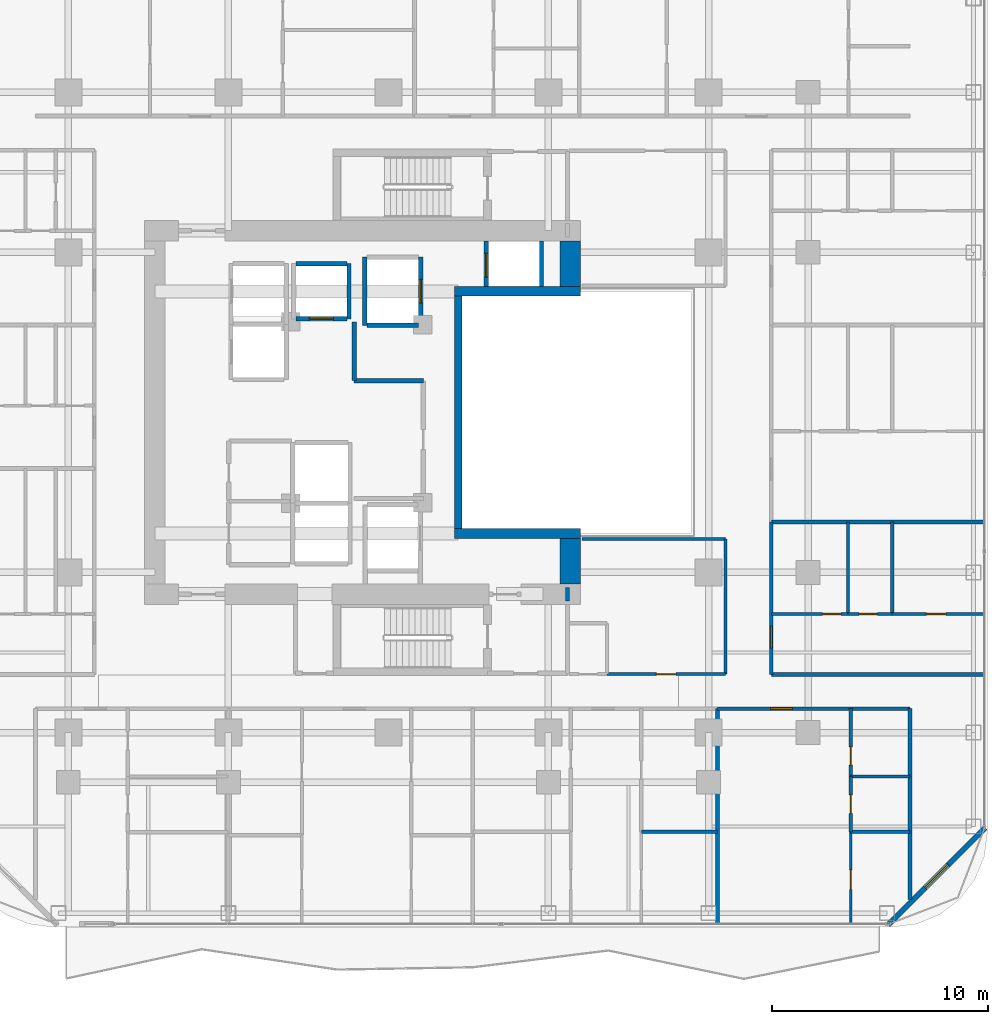
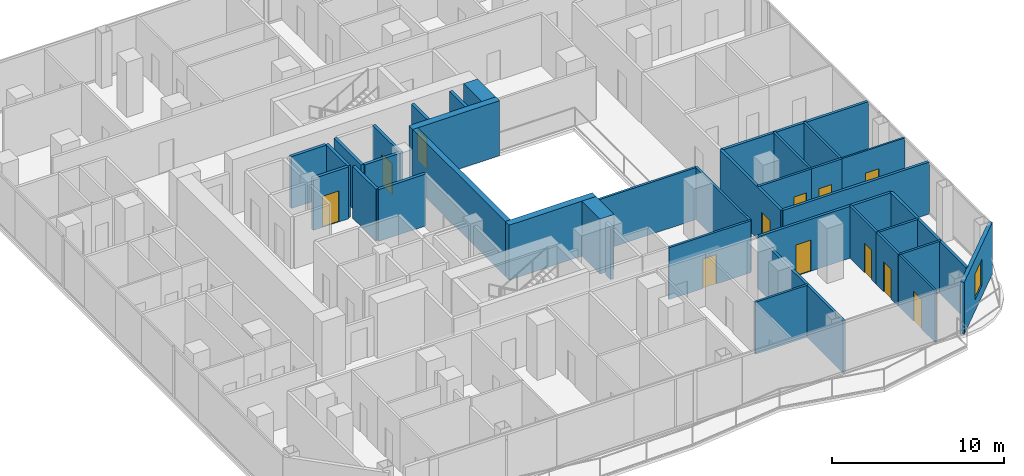
# One storey, part 23 of 29: 37 walls, 12 doors, 1 window, 13 openings.
"""IFC4 building model written with IfcOpenShell, lengths in metres."""

from ifc_helpers import new_model, si_unit, direction, frame, frame_2d, origin, place, context, subcontext, project, spatial, rectangle, extrude, material, layer, layer_set, type_object, element, fill, save


model = new_model("IFC4")

# Units and contexts
model_context = context("Model", 3, precision=1e-05, world=origin(), true_north=direction((0.0, 1.0)))
body_context = subcontext(model_context, "Body", "Model", "MODEL_VIEW")
ifc_project = project(units=[si_unit("LENGTHUNIT", "METRE"), si_unit("AREAUNIT", "SQUARE_METRE"), si_unit("VOLUMEUNIT", "CUBIC_METRE"), si_unit("PLANEANGLEUNIT", "RADIAN"), si_unit("MASSUNIT", "GRAM", prefix="KILO")], contexts=[model_context])

# Site, building, storey
site_placement = place(None, origin())
site = spatial("IfcSite", under=ifc_project, at=site_placement, CompositionType="ELEMENT")
building_placement = place(site_placement, origin())
building = spatial("IfcBuilding", under=site, at=building_placement, Name="Khorvyn Point Tower", CompositionType="ELEMENT")
storey_placement = place(building_placement, frame((0.0, 0.0, 140.699951171875)))
storey = spatial("IfcBuildingStorey", under=building, at=storey_placement, Name="L35", CompositionType="ELEMENT", Elevation=140.699951171875)

# Wall, opening, door
ifc_material_1 = material(Name="Double acoustic gypsum on twin steel stud", Category="steel")
ifc_layer_1 = layer(ifc_material_1, 0.179931640625)
ifc_layer_set_1 = layer_set([ifc_layer_1], Name="Acoustic Double-Stud Apartment Demising Wall 180")
wall_type_1 = type_object("IfcWallType", Name="Acoustic Double-Stud Apartment Demising Wall 180", PredefinedType="PARTITIONING", material=ifc_layer_set_1)
wall_1_placement = place(storey_placement, frame((15.222900390625, -13.699951171875, 0.0), z_axis=(0.0, 0.0, 1.0), x_axis=(1.0, 0.0, 0.0)))
wall_1 = element("IfcWall", 1, at=wall_1_placement, inside=storey, type_object=wall_type_1, Name="Wall", PredefinedType="PARTITIONING", context=body_context, shape_type="SweptSolid", body=[
    extrude(rectangle(XDim=8.897216796875, YDim=0.179931640625, at=frame_2d((4.44873046875, 0.0))), origin(), (0.0, 0.0, 1.0), 3.679931640625),
])
opening_1_placement = place(wall_1_placement, frame((2.45068359375, 0.0, 0.0)))
opening_1 = element("IfcOpeningElement", 2, at=opening_1_placement, cuts=wall_1, Name="Opening ID-AP60", PredefinedType="OPENING", context=body_context, shape_type="SweptSolid", body=[
    extrude(rectangle(XDim=1.0, YDim=2.199951171875, at=frame_2d((0.5, 1.10009765625))), frame((0.0, 0.099853515625, 0.0), z_axis=(0.0, -1.0, 0.0), x_axis=(1.0, 0.0, 0.0)), (0.0, 0.0, 1.0), 0.199951171875),
])
ifc_material_2 = material(Name="Engineered hardwood fire-rated leaf", Category="wood")
door_type_1 = type_object("IfcDoorType", Name="Acoustic Solid-Core Timber Apartment Entrance Door 1000x2200", OperationType="NOTDEFINED", PredefinedType="DOOR", material=ifc_material_2)
door_1_placement = place(opening_1_placement, origin())
door_1 = element("IfcDoor", 3, at=door_1_placement, inside=storey, type_object=door_type_1, Name="Door", OperationType="SINGLE_SWING_RIGHT", OverallHeight=2.199951171875, OverallWidth=1.0, PredefinedType="DOOR", context=body_context, shape_type="SweptSolid", body=[
    extrude(rectangle(XDim=1.0, YDim=2.199951171875, at=frame_2d((0.5, 1.10009765625))), frame((0.0, 0.02490234375, 0.0), z_axis=(0.0, -1.0, 0.0), x_axis=(1.0, 0.0, 0.0)), (0.0, 0.0, 1.0), 0.050048828125),
])
fill(opening_1, door_1)

wall_2_placement = place(storey_placement, frame((17.699951171875, -12.1201171875, 0.0), z_axis=(0.0, 0.0, 1.0), x_axis=(0.0, 1.0, 0.0)))
wall_2 = element("IfcWall", 4, at=wall_2_placement, inside=storey, type_object=wall_type_1, Name="Wall", PredefinedType="PARTITIONING", context=body_context, shape_type="SweptSolid", body=[
    extrude(rectangle(XDim=7.06201171875, YDim=0.179931640625, at=frame_2d((3.531005859375, 0.0))), origin(), (0.0, 0.0, 1.0), 3.679931640625),
])
opening_2_placement = place(wall_2_placement, frame((1.236572265625, 0.0, 0.0)))
opening_2 = element("IfcOpeningElement", 5, at=opening_2_placement, cuts=wall_2, Name="Opening ID-AP60", PredefinedType="OPENING", context=body_context, shape_type="SweptSolid", body=[
    extrude(rectangle(XDim=1.0, YDim=2.199951171875, at=frame_2d((0.5, 1.10009765625))), frame((0.0, 0.099853515625, 0.0), z_axis=(0.0, -1.0, 0.0), x_axis=(1.0, 0.0, 0.0)), (0.0, 0.0, 1.0), 0.199951171875),
])
door_2_placement = place(opening_2_placement, origin())
door_2 = element("IfcDoor", 6, at=door_2_placement, inside=storey, type_object=door_type_1, Name="Door", OperationType="SINGLE_SWING_RIGHT", OverallHeight=2.199951171875, OverallWidth=1.0, PredefinedType="DOOR", context=body_context, shape_type="SweptSolid", body=[
    extrude(rectangle(XDim=1.0, YDim=2.199951171875, at=frame_2d((0.5, 1.10009765625))), frame((0.0, 0.02490234375, 0.0), z_axis=(0.0, -1.0, 0.0), x_axis=(1.0, 0.0, 0.0)), (0.0, 0.0, 1.0), 0.050048828125),
])
fill(opening_2, door_2)

# Walls
wall_3_placement = place(storey_placement, frame((24.1201171875, -22.510009765625, 0.0), z_axis=(0.0, 0.0, 1.0), x_axis=(0.0, 1.0, 0.0)))
element("IfcWall", 7, at=wall_3_placement, inside=storey, type_object=wall_type_1, Name="Wall", PredefinedType="PARTITIONING", context=body_context, shape_type="SweptSolid", body=[
    extrude(rectangle(XDim=8.81005859375, YDim=0.179931640625, at=frame_2d((4.405029296875, 0.0))), origin(), (0.0, 0.0, 1.0), 3.679931640625),
])
wall_4_placement = place(storey_placement, frame((15.222900390625, -23.6298828125, 0.0), z_axis=(0.0, 0.0, 1.0), x_axis=(0.0, 1.0, 0.0)))
element("IfcWall", 8, at=wall_4_placement, inside=storey, type_object=wall_type_1, Name="Wall", PredefinedType="PARTITIONING", context=body_context, shape_type="SweptSolid", body=[
    extrude(rectangle(XDim=9.929931640625, YDim=0.179931640625, at=frame_2d((4.96484375, 0.0))), origin(), (0.0, 0.0, 1.0), 3.679931640625),
])
for number, where, z_axis, x_axis, name in (
    (9, (17.699951171875, -5.05810546875, 0.0), (0.0, 0.0, 1.0), (1.0, 0.0, 0.0), "Wall"),
    (10, (17.699951171875, -12.1201171875, 0.0), (0.0, 0.0, 1.0), (1.0, 0.0, 0.0), "Wall"),
):
    element("IfcWall", number, at=place(storey_placement, frame(where, z_axis=z_axis, x_axis=x_axis)), inside=storey, type_object=wall_type_1, Name=name, PredefinedType="PARTITIONING", context=body_context, shape_type="SweptSolid", body=[
        extrude(rectangle(XDim=9.830078125, YDim=0.179931640625, at=frame_2d((4.9150390625, 0.0))), origin(), (0.0, 0.0, 1.0), 3.679931640625),
    ])

# Wall, opening, window
ifc_material_3 = material(Name="Pale anodised aluminium rainscreen on steel stud", Category="steel")
ifc_layer_2 = layer(ifc_material_3, 0.239990234375)
ifc_layer_set_2 = layer_set([ifc_layer_2], Name="Anodised Aluminium Insulated Corner Spandrel Wall 240")
wall_type_2 = type_object("IfcWallType", Name="Anodised Aluminium Insulated Corner Spandrel Wall 240", PredefinedType="SOLIDWALL", material=ifc_layer_set_2)
wall_5_placement = place(storey_placement, frame((27.59228515625, -19.20751953125, 0.0), z_axis=(0.0, 0.0, 1.0), x_axis=(-0.707087534163, -0.707126027686, 0.0)))
wall_5 = element("IfcWall", 11, at=wall_5_placement, inside=storey, type_object=wall_type_2, Name="L35 Rounded Corner Wall SE", PredefinedType="SOLIDWALL", context=body_context, shape_type="SweptSolid", body=[
    extrude(rectangle(XDim=6.34228515625, YDim=0.239990234375, at=frame_2d((3.171142578125, 0.0))), origin(), (0.0, 0.0, 1.0), 3.679931640625),
])
opening_3_placement = place(wall_5_placement, frame((2.42138671875, 0.0, 0.800048828125)))
opening_3 = element("IfcOpeningElement", 12, at=opening_3_placement, cuts=wall_5, Name="Opening WN-1518", PredefinedType="OPENING", context=body_context, shape_type="SweptSolid", body=[
    extrude(rectangle(XDim=1.5, YDim=1.85009765625, at=frame_2d((0.75, 0.925048828125))), frame((0.0, 0.1298828125, 0.0), z_axis=(0.0, -1.0, 0.0), x_axis=(1.0, 0.0, 0.0)), (0.0, 0.0, 1.0), 0.260009765625),
])
ifc_material_4 = material(Name="Anodised aluminium 6063-T6 and laminated Low-E glass", Category="aluminium")
window_type = type_object("IfcWindowType", Name="Anodised Aluminium Rounded-Corner Panoramic Window 1500x1850", PartitioningType="SINGLE_PANEL", PredefinedType="WINDOW", material=ifc_material_4)
window_placement = place(opening_3_placement, origin())
window = element("IfcWindow", 13, at=window_placement, inside=storey, type_object=window_type, Name="L35 Corner Panoramic Window SE", OverallHeight=1.85009765625, OverallWidth=1.5, PartitioningType="SINGLE_PANEL", PredefinedType="WINDOW", context=body_context, shape_type="SweptSolid", body=[
    extrude(rectangle(XDim=1.5, YDim=1.85009765625, at=frame_2d((0.75, 0.925048828125))), frame((0.0, 0.030029296875, 0.0), z_axis=(0.0, -1.0, 0.0), x_axis=(1.0, 0.0, 0.0)), (0.0, 0.0, 1.0), 0.06005859375),
])
fill(opening_3, window)

# Walls
ifc_material_5 = material(Name="Concrete C40/50", Category="concrete")
ifc_layer_3 = layer(ifc_material_5, 0.449951171875)
ifc_layer_set_3 = layer_set([ifc_layer_3], Name="Concrete C40/50 Core Shear Wall 450")
wall_type_3 = type_object("IfcWallType", Name="Concrete C40/50 Core Shear Wall 450", PredefinedType="SHEAR", material=ifc_layer_set_3)
for number, where, z_axis, x_axis, name in (
    (14, (3.044921875, -5.60009765625, 0.0), (0.0, 0.0, 1.0), (1.0, 0.0, 0.0), "Wall"),
    (15, (3.044921875, 5.60009765625, 0.0), (0.0, 0.0, 1.0), (1.0, 0.0, 0.0), "Wall"),
):
    element("IfcWall", number, at=place(storey_placement, frame(where, z_axis=z_axis, x_axis=x_axis)), inside=storey, type_object=wall_type_3, Name=name, PredefinedType="SHEAR", context=body_context, shape_type="SweptSolid", body=[
        extrude(rectangle(XDim=5.830078125, YDim=0.449951171875, at=frame_2d((2.9150390625, 0.0))), origin(), (0.0, 0.0, 1.0), 3.900146484375),
    ])
ifc_layer_4 = layer(ifc_material_5, 0.199951171875)
ifc_layer_set_4 = layer_set([ifc_layer_4], Name="Concrete C40/50 Fire-Lobby Compartment Wall 200")
wall_type_4 = type_object("IfcWallType", Name="Concrete C40/50 Fire-Lobby Compartment Wall 200", PredefinedType="SOLIDWALL", material=ifc_layer_set_4)
wall_6_placement = place(storey_placement, frame((-1.580078125, 1.47998046875, 0.0), z_axis=(0.0, 0.0, 1.0), x_axis=(0.0, 1.0, 0.0)))
element("IfcWall", 16, at=wall_6_placement, inside=storey, type_object=wall_type_4, Name="Wall", PredefinedType="SOLIDWALL", context=body_context, shape_type="SweptSolid", body=[
    extrude(rectangle(XDim=2.699951171875, YDim=0.199951171875, at=frame_2d((1.35009765625, 0.0))), origin(), (0.0, 0.0, 1.0), 3.679931640625),
])
wall_7_placement = place(storey_placement, frame((-1.580078125, 1.4599609375, 0.0), z_axis=(0.0, 0.0, 1.0), x_axis=(1.0, 0.0, 0.0)))
element("IfcWall", 17, at=wall_7_placement, inside=storey, type_object=wall_type_4, Name="Wall", PredefinedType="SOLIDWALL", context=body_context, shape_type="SweptSolid", body=[
    extrude(rectangle(XDim=3.190185546875, YDim=0.199951171875, at=frame_2d((1.59521484375, 0.0))), origin(), (0.0, 0.0, 1.0), 3.679931640625),
])
wall_8_placement = place(storey_placement, frame((8.280029296875, -8.72509765625, 0.0), z_axis=(0.0, 0.0, 1.0), x_axis=(0.0, 1.0, 0.0)))
element("IfcWall", 18, at=wall_8_placement, inside=storey, type_object=wall_type_4, Name="Wall", PredefinedType="SOLIDWALL", context=body_context, shape_type="SweptSolid", body=[
    extrude(rectangle(XDim=0.625, YDim=0.199951171875, at=frame_2d((0.3125, 0.0))), origin(), (0.0, 0.0, 1.0), 3.679931640625),
])
ifc_layer_5 = layer(ifc_material_5, 0.35009765625)
ifc_layer_set_5 = layer_set([ifc_layer_5], Name="Concrete C40/50 Stair Shaft Structural Wall 350")
wall_type_5 = type_object("IfcWallType", Name="Concrete C40/50 Stair Shaft Structural Wall 350", PredefinedType="SHEAR", material=ifc_layer_set_5)
wall_9_placement = place(storey_placement, frame((3.219970703125, -5.375, 0.0), z_axis=(0.0, 0.0, 1.0), x_axis=(0.0, 1.0, 0.0)))
element("IfcWall", 19, at=wall_9_placement, inside=storey, type_object=wall_type_5, Name="Wall", PredefinedType="SHEAR", context=body_context, shape_type="SweptSolid", body=[
    extrude(rectangle(XDim=10.75, YDim=0.35009765625, at=frame_2d((5.375, 0.0))), origin(), (0.0, 0.0, 1.0), 3.900146484375),
])
ifc_layer_6 = layer(ifc_material_5, 0.199951171875)
ifc_layer_set_6 = layer_set([ifc_layer_6], Name="Concrete C40/50 Structural Hoistway and Stair Shaft Wall 200")
wall_type_6 = type_object("IfcWallType", Name="Concrete C40/50 Structural Hoistway and Stair Shaft Wall 200", PredefinedType="SHEAR", material=ifc_layer_set_6)
wall_10_placement = place(storey_placement, frame((-1.824951171875, 4.324951171875, 0.0), z_axis=(0.0, 0.0, 1.0), x_axis=(0.0, 1.0, 0.0)))
element("IfcWall", 20, at=wall_10_placement, inside=storey, type_object=wall_type_6, Name="Wall", PredefinedType="SHEAR", context=body_context, shape_type="SweptSolid", body=[
    extrude(rectangle(XDim=2.550048828125, YDim=0.199951171875, at=frame_2d((1.27490234375, 0.0))), origin(), (0.0, 0.0, 1.0), 3.679931640625),
])

# Wall, opening, door
wall_11_placement = place(storey_placement, frame((-4.27490234375, 4.324951171875, 0.0), z_axis=(0.0, 0.0, 1.0), x_axis=(1.0, 0.0, 0.0)))
wall_11 = element("IfcWall", 21, at=wall_11_placement, inside=storey, type_object=wall_type_6, Name="Wall", PredefinedType="SHEAR", context=body_context, shape_type="SweptSolid", body=[
    extrude(rectangle(XDim=2.349853515625, YDim=0.199951171875, at=frame_2d((1.1748046875, 0.0))), origin(), (0.0, 0.0, 1.0), 3.679931640625),
])
opening_4_placement = place(wall_11_placement, frame((0.625, 0.0, 0.0)))
opening_4 = element("IfcOpeningElement", 22, at=opening_4_placement, cuts=wall_11, Name="Opening LD-1122", PredefinedType="OPENING", context=body_context, shape_type="SweptSolid", body=[
    extrude(rectangle(XDim=1.10009765625, YDim=2.199951171875, at=frame_2d((0.550048828125, 1.10009765625))), frame((0.0, 0.10986328125, 0.0), z_axis=(0.0, -1.0, 0.0), x_axis=(1.0, 0.0, 0.0)), (0.0, 0.0, 1.0), 0.219970703125),
])
ifc_material_6 = material(Name="Stainless steel 1.4301", Category="steel")
door_type_2 = type_object("IfcDoorType", Name="Stainless Steel Automatic Sliding Lift Landing Door 1100x2200", OperationType="SLIDING_TO_LEFT", PredefinedType="DOOR", material=ifc_material_6)
door_3_placement = place(opening_4_placement, origin())
door_3 = element("IfcDoor", 23, at=door_3_placement, inside=storey, type_object=door_type_2, Name="L35 RM-03 Sliding Lift Landing Door", OperationType="SLIDING_TO_LEFT", OverallHeight=2.199951171875, OverallWidth=1.10009765625, PredefinedType="DOOR", context=body_context, shape_type="SweptSolid", body=[
    extrude(rectangle(XDim=1.10009765625, YDim=2.199951171875, at=frame_2d((0.550048828125, 1.10009765625))), frame((0.0, 0.02490234375, 0.0), z_axis=(0.0, -1.0, 0.0), x_axis=(1.0, 0.0, 0.0)), (0.0, 0.0, 1.0), 0.050048828125),
])
fill(opening_4, door_3)

# Walls
wall_12_placement = place(storey_placement, frame((-4.27490234375, 6.875, 0.0), z_axis=(0.0, 0.0, 1.0), x_axis=(1.0, 0.0, 0.0)))
element("IfcWall", 24, at=wall_12_placement, inside=storey, type_object=wall_type_6, Name="Wall", PredefinedType="SHEAR", context=body_context, shape_type="SweptSolid", body=[
    extrude(rectangle(XDim=2.349853515625, YDim=0.199951171875, at=frame_2d((1.1748046875, 0.0))), origin(), (0.0, 0.0, 1.0), 3.679931640625),
])
wall_13_placement = place(storey_placement, frame((-1.10009765625, 4.02490234375, 0.0), z_axis=(0.0, 0.0, 1.0), x_axis=(0.0, 1.0, 0.0)))
element("IfcWall", 25, at=wall_13_placement, inside=storey, type_object=wall_type_6, Name="Wall", PredefinedType="SHEAR", context=body_context, shape_type="SweptSolid", body=[
    extrude(rectangle(XDim=3.150146484375, YDim=0.199951171875, at=frame_2d((1.5751953125, 0.0))), origin(), (0.0, 0.0, 1.0), 3.679931640625),
])

# Wall, opening, door
wall_14_placement = place(storey_placement, frame((1.5, 4.02490234375, 0.0), z_axis=(0.0, 0.0, 1.0), x_axis=(0.0, 1.0, 0.0)))
wall_14 = element("IfcWall", 26, at=wall_14_placement, inside=storey, type_object=wall_type_6, Name="Wall", PredefinedType="SHEAR", context=body_context, shape_type="SweptSolid", body=[
    extrude(rectangle(XDim=3.150146484375, YDim=0.199951171875, at=frame_2d((1.5751953125, 0.0))), origin(), (0.0, 0.0, 1.0), 3.679931640625),
])
opening_5_placement = place(wall_14_placement, frame((1.02490234375, 0.0, 0.0)))
opening_5 = element("IfcOpeningElement", 27, at=opening_5_placement, cuts=wall_14, Name="Opening LD-1122", PredefinedType="OPENING", context=body_context, shape_type="SweptSolid", body=[
    extrude(rectangle(XDim=1.10009765625, YDim=2.199951171875, at=frame_2d((0.550048828125, 1.10009765625))), frame((0.0, 0.10986328125, 0.0), z_axis=(0.0, -1.0, 0.0), x_axis=(1.0, 0.0, 0.0)), (0.0, 0.0, 1.0), 0.219970703125),
])
door_4_placement = place(opening_5_placement, origin())
door_4 = element("IfcDoor", 28, at=door_4_placement, inside=storey, type_object=door_type_2, Name="L35 SV-01 Sliding Lift Landing Door", OperationType="SLIDING_TO_LEFT", OverallHeight=2.199951171875, OverallWidth=1.10009765625, PredefinedType="DOOR", context=body_context, shape_type="SweptSolid", body=[
    extrude(rectangle(XDim=1.10009765625, YDim=2.199951171875, at=frame_2d((0.550048828125, 1.10009765625))), frame((0.0, 0.02490234375, 0.0), z_axis=(0.0, -1.0, 0.0), x_axis=(1.0, 0.0, 0.0)), (0.0, 0.0, 1.0), 0.050048828125),
])
fill(opening_5, door_4)

# Wall
wall_15_placement = place(storey_placement, frame((-1.0, 4.02490234375, 0.0), z_axis=(0.0, 0.0, 1.0), x_axis=(1.0, 0.0, 0.0)))
element("IfcWall", 29, at=wall_15_placement, inside=storey, type_object=wall_type_6, Name="Wall", PredefinedType="SHEAR", context=body_context, shape_type="SweptSolid", body=[
    extrude(rectangle(XDim=2.39990234375, YDim=0.199951171875, at=frame_2d((1.199951171875, 0.0))), origin(), (0.0, 0.0, 1.0), 3.679931640625),
])

# Wall, opening, door
wall_16_placement = place(storey_placement, frame((4.52490234375, 5.824951171875, 0.0), z_axis=(0.0, 0.0, 1.0), x_axis=(0.0, 1.0, 0.0)))
wall_16 = element("IfcWall", 30, at=wall_16_placement, inside=storey, type_object=wall_type_6, Name="Wall", PredefinedType="SHEAR", context=body_context, shape_type="SweptSolid", body=[
    extrude(rectangle(XDim=2.10009765625, YDim=0.199951171875, at=frame_2d((1.050048828125, 0.0))), origin(), (0.0, 0.0, 1.0), 3.679931640625),
])
opening_6_placement = place(wall_16_placement, frame((0.425048828125, 0.0, 0.0)))
opening_6 = element("IfcOpeningElement", 31, at=opening_6_placement, cuts=wall_16, Name="Opening LD-1122", PredefinedType="OPENING", context=body_context, shape_type="SweptSolid", body=[
    extrude(rectangle(XDim=1.10009765625, YDim=2.199951171875, at=frame_2d((0.550048828125, 1.10009765625))), frame((0.0, 0.10986328125, 0.0), z_axis=(0.0, -1.0, 0.0), x_axis=(1.0, 0.0, 0.0)), (0.0, 0.0, 1.0), 0.219970703125),
])
door_5_placement = place(opening_6_placement, origin())
door_5 = element("IfcDoor", 32, at=door_5_placement, inside=storey, type_object=door_type_2, Name="L35 FF-02 Sliding Lift Landing Door", OperationType="SLIDING_TO_LEFT", OverallHeight=2.199951171875, OverallWidth=1.10009765625, PredefinedType="DOOR", context=body_context, shape_type="SweptSolid", body=[
    extrude(rectangle(XDim=1.10009765625, YDim=2.199951171875, at=frame_2d((0.550048828125, 1.10009765625))), frame((0.0, 0.02490234375, 0.0), z_axis=(0.0, -1.0, 0.0), x_axis=(1.0, 0.0, 0.0)), (0.0, 0.0, 1.0), 0.050048828125),
])
fill(opening_6, door_5)

# Walls
wall_17_placement = place(storey_placement, frame((7.074951171875, 5.824951171875, 0.0), z_axis=(0.0, 0.0, 1.0), x_axis=(0.0, 1.0, 0.0)))
element("IfcWall", 33, at=wall_17_placement, inside=storey, type_object=wall_type_6, Name="Wall", PredefinedType="SHEAR", context=body_context, shape_type="SweptSolid", body=[
    extrude(rectangle(XDim=2.10009765625, YDim=0.199951171875, at=frame_2d((1.050048828125, 0.0))), origin(), (0.0, 0.0, 1.0), 3.679931640625),
])
ifc_material_7 = material(Name="Concrete C50/60", Category="concrete")
ifc_layer_7 = layer(ifc_material_7, 0.949951171875)
ifc_layer_set_7 = layer_set([ifc_layer_7], Name="Concrete C50/60 Core Shear Wall 950")
wall_type_7 = type_object("IfcWallType", Name="Concrete C50/60 Core Shear Wall 950", PredefinedType="SHEAR", material=ifc_layer_set_7)
for number, where, z_axis, x_axis, name in (
    (34, (8.39990234375, -7.925048828125, 0.0), (0.0, 0.0, 1.0), (0.0, 1.0, 0.0), "Wall"),
    (35, (8.39990234375, 5.824951171875, 0.0), (0.0, 0.0, 1.0), (0.0, 1.0, 0.0), "Wall"),
):
    element("IfcWall", number, at=place(storey_placement, frame(where, z_axis=z_axis, x_axis=x_axis)), inside=storey, type_object=wall_type_7, Name=name, PredefinedType="SHEAR", context=body_context, shape_type="SweptSolid", body=[
        extrude(rectangle(XDim=2.10009765625, YDim=0.949951171875, at=frame_2d((1.050048828125, 0.0))), origin(), (0.0, 0.0, 1.0), 3.900146484375),
    ])

# Wall, opening, door
ifc_material_8 = material(Name="Gypsum plasterboard on steel stud", Category="steel")
ifc_layer_8 = layer(ifc_material_8, 0.1201171875)
ifc_layer_set_8 = layer_set([ifc_layer_8], Name="Gypsum Acoustic Stud Room Partition Wall 120")
wall_type_8 = type_object("IfcWallType", Name="Gypsum Acoustic Stud Room Partition Wall 120", PredefinedType="PARTITIONING", material=ifc_layer_set_8)
wall_18_placement = place(storey_placement, frame((21.3701171875, -23.6298828125, 0.0), z_axis=(0.0, 0.0, 1.0), x_axis=(0.0, 1.0, 0.0)))
wall_18 = element("IfcWall", 36, at=wall_18_placement, inside=storey, type_object=wall_type_8, Name="Wall", PredefinedType="PARTITIONING", context=body_context, shape_type="SweptSolid", body=[
    extrude(rectangle(XDim=4.239990234375, YDim=0.1201171875, at=frame_2d((2.1201171875, 0.0))), origin(), (0.0, 0.0, 1.0), 3.679931640625),
])
opening_7_placement = place(wall_18_placement, frame((1.581298828125, 0.0, 0.0)))
opening_7 = element("IfcOpeningElement", 37, at=opening_7_placement, cuts=wall_18, Name="Opening ID-RM90", PredefinedType="OPENING", context=body_context, shape_type="SweptSolid", body=[
    extrude(rectangle(XDim=0.89990234375, YDim=2.10009765625, at=frame_2d((0.449951171875, 1.050048828125))), frame((0.0, 0.070068359375, 0.0), z_axis=(0.0, -1.0, 0.0), x_axis=(1.0, 0.0, 0.0)), (0.0, 0.0, 1.0), 0.14013671875),
])
ifc_material_9 = material(Name="Engineered oak veneer timber", Category="wood")
door_type_3 = type_object("IfcDoorType", Name="Flush Engineered Timber Room Door 900x2100", OperationType="NOTDEFINED", PredefinedType="DOOR", material=ifc_material_9)
door_6_placement = place(opening_7_placement, origin())
door_6 = element("IfcDoor", 38, at=door_6_placement, inside=storey, type_object=door_type_3, Name="Door", OperationType="SINGLE_SWING_LEFT", OverallHeight=2.10009765625, OverallWidth=0.89990234375, PredefinedType="DOOR", context=body_context, shape_type="SweptSolid", body=[
    extrude(rectangle(XDim=0.89990234375, YDim=2.10009765625, at=frame_2d((0.449951171875, 1.050048828125))), frame((0.0, 0.02490234375, 0.0), z_axis=(0.0, -1.0, 0.0), x_axis=(1.0, 0.0, 0.0)), (0.0, 0.0, 1.0), 0.050048828125),
])
fill(opening_7, door_6)

wall_19_placement = place(storey_placement, frame((23.2900390625, -9.320068359375, 0.0), z_axis=(0.0, 0.0, 1.0), x_axis=(1.0, 0.0, 0.0)))
wall_19 = element("IfcWall", 39, at=wall_19_placement, inside=storey, type_object=wall_type_8, Name="Wall", PredefinedType="PARTITIONING", context=body_context, shape_type="SweptSolid", body=[
    extrude(rectangle(XDim=4.239990234375, YDim=0.1201171875, at=frame_2d((2.1201171875, 0.0))), origin(), (0.0, 0.0, 1.0), 3.679931640625),
])
opening_8_placement = place(wall_19_placement, frame((1.581298828125, 0.0, 0.0)))
opening_8 = element("IfcOpeningElement", 40, at=opening_8_placement, cuts=wall_19, Name="Opening ID-RM90", PredefinedType="OPENING", context=body_context, shape_type="SweptSolid", body=[
    extrude(rectangle(XDim=0.89990234375, YDim=2.10009765625, at=frame_2d((0.449951171875, 1.050048828125))), frame((0.0, 0.070068359375, 0.0), z_axis=(0.0, -1.0, 0.0), x_axis=(1.0, 0.0, 0.0)), (0.0, 0.0, 1.0), 0.14013671875),
])
door_7_placement = place(opening_8_placement, origin())
door_7 = element("IfcDoor", 41, at=door_7_placement, inside=storey, type_object=door_type_3, Name="Door", OperationType="SINGLE_SWING_LEFT", OverallHeight=2.10009765625, OverallWidth=0.89990234375, PredefinedType="DOOR", context=body_context, shape_type="SweptSolid", body=[
    extrude(rectangle(XDim=0.89990234375, YDim=2.10009765625, at=frame_2d((0.449951171875, 1.050048828125))), frame((0.0, 0.02490234375, 0.0), z_axis=(0.0, -1.0, 0.0), x_axis=(1.0, 0.0, 0.0)), (0.0, 0.0, 1.0), 0.050048828125),
])
fill(opening_8, door_7)

ifc_material_10 = material(Name="Moisture-resistant gypsum and cement board", Category="gypsum")
ifc_layer_9 = layer(ifc_material_10, 0.14990234375)
ifc_layer_set_9 = layer_set([ifc_layer_9], Name="Moisture-Resistant Wet-Room Partition Wall 150")
wall_type_9 = type_object("IfcWallType", Name="Moisture-Resistant Wet-Room Partition Wall 150", PredefinedType="PARTITIONING", material=ifc_layer_set_9)
wall_20_placement = place(storey_placement, frame((10.10009765625, -12.10009765625, 0.0), z_axis=(0.0, 0.0, 1.0), x_axis=(1.0, 0.0, 0.0)))
wall_20 = element("IfcWall", 42, at=wall_20_placement, inside=storey, type_object=wall_type_9, Name="Wall", PredefinedType="PARTITIONING", context=body_context, shape_type="SweptSolid", body=[
    extrude(rectangle(XDim=5.47998046875, YDim=0.14990234375, at=frame_2d((2.739990234375, 0.0))), origin(), (0.0, 0.0, 1.0), 3.679931640625),
])
opening_9_placement = place(wall_20_placement, frame((2.2900390625, 0.0, 0.0)))
opening_9 = element("IfcOpeningElement", 43, at=opening_9_placement, cuts=wall_20, Name="Opening ID-RM90", PredefinedType="OPENING", context=body_context, shape_type="SweptSolid", body=[
    extrude(rectangle(XDim=0.89990234375, YDim=2.10009765625, at=frame_2d((0.449951171875, 1.050048828125))), frame((0.0, 0.0849609375, 0.0), z_axis=(0.0, -1.0, 0.0), x_axis=(1.0, 0.0, 0.0)), (0.0, 0.0, 1.0), 0.169921875),
])
door_8_placement = place(opening_9_placement, origin())
door_8 = element("IfcDoor", 44, at=door_8_placement, inside=storey, type_object=door_type_3, Name="Door", OperationType="SINGLE_SWING_LEFT", OverallHeight=2.10009765625, OverallWidth=0.89990234375, PredefinedType="DOOR", context=body_context, shape_type="SweptSolid", body=[
    extrude(rectangle(XDim=0.89990234375, YDim=2.10009765625, at=frame_2d((0.449951171875, 1.050048828125))), frame((0.0, 0.02490234375, 0.0), z_axis=(0.0, -1.0, 0.0), x_axis=(1.0, 0.0, 0.0)), (0.0, 0.0, 1.0), 0.050048828125),
])
fill(opening_9, door_8)

wall_21_placement = place(storey_placement, frame((21.3701171875, -16.8291015625, 0.0), z_axis=(0.0, 0.0, 1.0), x_axis=(0.0, 1.0, 0.0)))
wall_21 = element("IfcWall", 45, at=wall_21_placement, inside=storey, type_object=wall_type_9, Name="Wall", PredefinedType="PARTITIONING", context=body_context, shape_type="SweptSolid", body=[
    extrude(rectangle(XDim=3.129150390625, YDim=0.14990234375, at=frame_2d((1.564453125, 0.0))), origin(), (0.0, 0.0, 1.0), 3.679931640625),
])
opening_10_placement = place(wall_21_placement, frame((0.51611328125, 0.0, 0.0)))
opening_10 = element("IfcOpeningElement", 46, at=opening_10_placement, cuts=wall_21, Name="Opening ID-WC85", PredefinedType="OPENING", context=body_context, shape_type="SweptSolid", body=[
    extrude(rectangle(XDim=0.85009765625, YDim=2.10009765625, at=frame_2d((0.425048828125, 1.050048828125))), frame((0.0, 0.0849609375, 0.0), z_axis=(0.0, -1.0, 0.0), x_axis=(1.0, 0.0, 0.0)), (0.0, 0.0, 1.0), 0.169921875),
])
ifc_material_11 = material(Name="High-pressure laminate on moisture-resistant core", Category="wood")
door_type_4 = type_object("IfcDoorType", Name="Moisture-Resistant Accessible Washroom Door 850x2100", OperationType="NOTDEFINED", PredefinedType="DOOR", material=ifc_material_11)
door_9_placement = place(opening_10_placement, origin())
door_9 = element("IfcDoor", 47, at=door_9_placement, inside=storey, type_object=door_type_4, Name="Door", OperationType="SINGLE_SWING_LEFT", OverallHeight=2.10009765625, OverallWidth=0.85009765625, PredefinedType="DOOR", context=body_context, shape_type="SweptSolid", body=[
    extrude(rectangle(XDim=0.85009765625, YDim=2.10009765625, at=frame_2d((0.425048828125, 1.050048828125))), frame((0.0, 0.02490234375, 0.0), z_axis=(0.0, -1.0, 0.0), x_axis=(1.0, 0.0, 0.0)), (0.0, 0.0, 1.0), 0.050048828125),
])
fill(opening_10, door_9)

wall_22_placement = place(storey_placement, frame((21.3701171875, -19.389892578125, 0.0), z_axis=(0.0, 0.0, 1.0), x_axis=(0.0, 1.0, 0.0)))
wall_22 = element("IfcWall", 48, at=wall_22_placement, inside=storey, type_object=wall_type_9, Name="Wall", PredefinedType="PARTITIONING", context=body_context, shape_type="SweptSolid", body=[
    extrude(rectangle(XDim=2.560791015625, YDim=0.14990234375, at=frame_2d((1.2802734375, 0.0))), origin(), (0.0, 0.0, 1.0), 3.679931640625),
])
opening_11_placement = place(wall_22_placement, frame((0.85546875, 0.0, 0.0)))
opening_11 = element("IfcOpeningElement", 49, at=opening_11_placement, cuts=wall_22, Name="Opening ID-WC85", PredefinedType="OPENING", context=body_context, shape_type="SweptSolid", body=[
    extrude(rectangle(XDim=0.85009765625, YDim=2.10009765625, at=frame_2d((0.425048828125, 1.050048828125))), frame((0.0, 0.0849609375, 0.0), z_axis=(0.0, -1.0, 0.0), x_axis=(1.0, 0.0, 0.0)), (0.0, 0.0, 1.0), 0.169921875),
])
door_10_placement = place(opening_11_placement, origin())
door_10 = element("IfcDoor", 50, at=door_10_placement, inside=storey, type_object=door_type_4, Name="Door", OperationType="SINGLE_SWING_RIGHT", OverallHeight=2.10009765625, OverallWidth=0.85009765625, PredefinedType="DOOR", context=body_context, shape_type="SweptSolid", body=[
    extrude(rectangle(XDim=0.85009765625, YDim=2.10009765625, at=frame_2d((0.425048828125, 1.050048828125))), frame((0.0, 0.02490234375, 0.0), z_axis=(0.0, -1.0, 0.0), x_axis=(1.0, 0.0, 0.0)), (0.0, 0.0, 1.0), 0.050048828125),
])
fill(opening_11, door_10)

wall_23_placement = place(storey_placement, frame((17.699951171875, -9.320068359375, 0.0), z_axis=(0.0, 0.0, 1.0), x_axis=(1.0, 0.0, 0.0)))
wall_23 = element("IfcWall", 51, at=wall_23_placement, inside=storey, type_object=wall_type_9, Name="Wall", PredefinedType="PARTITIONING", context=body_context, shape_type="SweptSolid", body=[
    extrude(rectangle(XDim=3.552001953125, YDim=0.14990234375, at=frame_2d((1.77587890625, 0.0))), origin(), (0.0, 0.0, 1.0), 3.679931640625),
])
opening_12_placement = place(wall_23_placement, frame((2.371826171875, 0.0, 0.0)))
opening_12 = element("IfcOpeningElement", 52, at=opening_12_placement, cuts=wall_23, Name="Opening ID-WC85", PredefinedType="OPENING", context=body_context, shape_type="SweptSolid", body=[
    extrude(rectangle(XDim=0.85009765625, YDim=2.10009765625, at=frame_2d((0.425048828125, 1.050048828125))), frame((0.0, 0.0849609375, 0.0), z_axis=(0.0, -1.0, 0.0), x_axis=(1.0, 0.0, 0.0)), (0.0, 0.0, 1.0), 0.169921875),
])
door_11_placement = place(opening_12_placement, origin())
door_11 = element("IfcDoor", 53, at=door_11_placement, inside=storey, type_object=door_type_4, Name="Door", OperationType="SINGLE_SWING_LEFT", OverallHeight=2.10009765625, OverallWidth=0.85009765625, PredefinedType="DOOR", context=body_context, shape_type="SweptSolid", body=[
    extrude(rectangle(XDim=0.85009765625, YDim=2.10009765625, at=frame_2d((0.425048828125, 1.050048828125))), frame((0.0, 0.02490234375, 0.0), z_axis=(0.0, -1.0, 0.0), x_axis=(1.0, 0.0, 0.0)), (0.0, 0.0, 1.0), 0.050048828125),
])
fill(opening_12, door_11)

wall_24_placement = place(storey_placement, frame((21.251953125, -9.320068359375, 0.0), z_axis=(0.0, 0.0, 1.0), x_axis=(1.0, 0.0, 0.0)))
wall_24 = element("IfcWall", 54, at=wall_24_placement, inside=storey, type_object=wall_type_9, Name="Wall", PredefinedType="PARTITIONING", context=body_context, shape_type="SweptSolid", body=[
    extrude(rectangle(XDim=2.0380859375, YDim=0.14990234375, at=frame_2d((1.01904296875, 0.0))), origin(), (0.0, 0.0, 1.0), 3.679931640625),
])
opening_13_placement = place(wall_24_placement, frame((0.507080078125, 0.0, 0.0)))
opening_13 = element("IfcOpeningElement", 55, at=opening_13_placement, cuts=wall_24, Name="Opening ID-WC85", PredefinedType="OPENING", context=body_context, shape_type="SweptSolid", body=[
    extrude(rectangle(XDim=0.85009765625, YDim=2.10009765625, at=frame_2d((0.425048828125, 1.050048828125))), frame((0.0, 0.0849609375, 0.0), z_axis=(0.0, -1.0, 0.0), x_axis=(1.0, 0.0, 0.0)), (0.0, 0.0, 1.0), 0.169921875),
])
door_12_placement = place(opening_13_placement, origin())
door_12 = element("IfcDoor", 56, at=door_12_placement, inside=storey, type_object=door_type_4, Name="Door", OperationType="SINGLE_SWING_RIGHT", OverallHeight=2.10009765625, OverallWidth=0.85009765625, PredefinedType="DOOR", context=body_context, shape_type="SweptSolid", body=[
    extrude(rectangle(XDim=0.85009765625, YDim=2.10009765625, at=frame_2d((0.425048828125, 1.050048828125))), frame((0.0, 0.02490234375, 0.0), z_axis=(0.0, -1.0, 0.0), x_axis=(1.0, 0.0, 0.0)), (0.0, 0.0, 1.0), 0.050048828125),
])
fill(opening_13, door_12)

# Walls
wall_25_placement = place(storey_placement, frame((15.580078125, -12.10009765625, 0.0), z_axis=(0.0, 0.0, 1.0), x_axis=(0.0, 1.0, 0.0)))
element("IfcWall", 57, at=wall_25_placement, inside=storey, type_object=wall_type_9, Name="Wall", PredefinedType="PARTITIONING", context=body_context, shape_type="SweptSolid", body=[
    extrude(rectangle(XDim=6.25, YDim=0.14990234375, at=frame_2d((3.125, 0.0))), origin(), (0.0, 0.0, 1.0), 3.679931640625),
])
wall_26_placement = place(storey_placement, frame((8.9599609375, -5.85009765625, 0.0), z_axis=(0.0, 0.0, 1.0), x_axis=(1.0, 0.0, 0.0)))
element("IfcWall", 58, at=wall_26_placement, inside=storey, type_object=wall_type_9, Name="Wall", PredefinedType="PARTITIONING", context=body_context, shape_type="SweptSolid", body=[
    extrude(rectangle(XDim=6.6201171875, YDim=0.14990234375, at=frame_2d((3.31005859375, 0.0))), origin(), (0.0, 0.0, 1.0), 3.679931640625),
])
wall_27_placement = place(storey_placement, frame((11.68994140625, -19.389892578125, 0.0), z_axis=(0.0, 0.0, 1.0), x_axis=(1.0, 0.0, 0.0)))
element("IfcWall", 59, at=wall_27_placement, inside=storey, type_object=wall_type_9, Name="Wall", PredefinedType="PARTITIONING", context=body_context, shape_type="SweptSolid", body=[
    extrude(rectangle(XDim=3.532958984375, YDim=0.14990234375, at=frame_2d((1.7666015625, 0.0))), origin(), (0.0, 0.0, 1.0), 3.679931640625),
])
for number, where, z_axis, x_axis, name in (
    (60, (21.3701171875, -16.8291015625, 0.0), (0.0, 0.0, 1.0), (1.0, 0.0, 0.0), "Wall"),
    (61, (21.3701171875, -19.389892578125, 0.0), (0.0, 0.0, 1.0), (1.0, 0.0, 0.0), "Wall"),
):
    element("IfcWall", number, at=place(storey_placement, frame(where, z_axis=z_axis, x_axis=x_axis)), inside=storey, type_object=wall_type_9, Name=name, PredefinedType="PARTITIONING", context=body_context, shape_type="SweptSolid", body=[
        extrude(rectangle(XDim=2.75, YDim=0.14990234375, at=frame_2d((1.375, 0.0))), origin(), (0.0, 0.0, 1.0), 3.679931640625),
    ])
for number, where, z_axis, x_axis, name in (
    (62, (21.251953125, -9.320068359375, 0.0), (0.0, 0.0, 1.0), (0.0, 1.0, 0.0), "Wall"),
    (63, (23.2900390625, -9.320068359375, 0.0), (0.0, 0.0, 1.0), (0.0, 1.0, 0.0), "Wall"),
):
    element("IfcWall", number, at=place(storey_placement, frame(where, z_axis=z_axis, x_axis=x_axis)), inside=storey, type_object=wall_type_9, Name=name, PredefinedType="PARTITIONING", context=body_context, shape_type="SweptSolid", body=[
        extrude(rectangle(XDim=4.261962890625, YDim=0.14990234375, at=frame_2d((2.130859375, 0.0))), origin(), (0.0, 0.0, 1.0), 3.679931640625),
    ])

save(model, "model.ifc")
